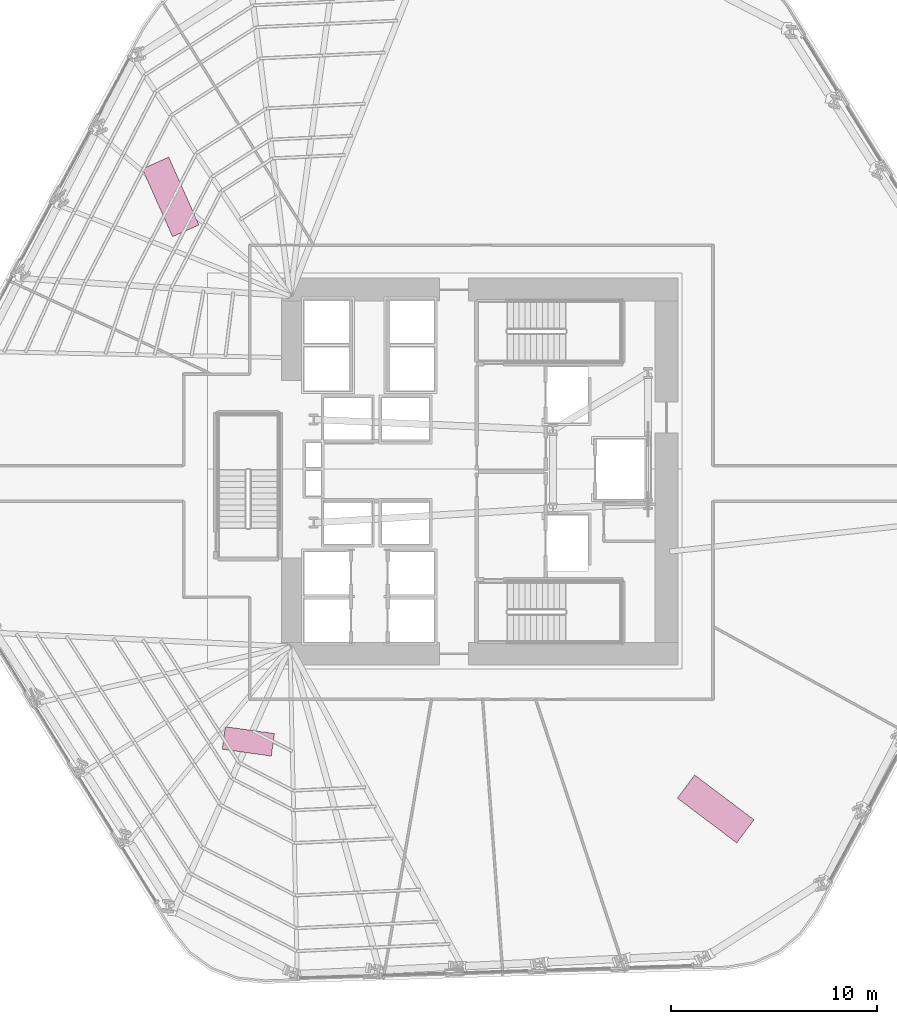
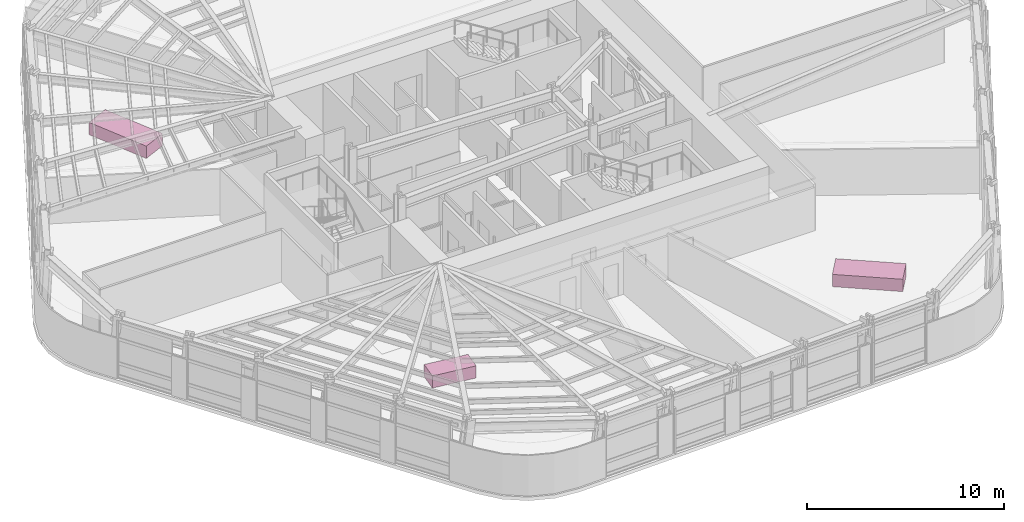
# One storey, part 15 of 15: 3 furniture elements.
"""IFC4 building model written with IfcOpenShell, lengths in metres."""

from ifc_helpers import new_model, si_unit, direction, frame, origin, origin_2d, place, context, subcontext, project, spatial, rectangle, extrude, material, type_object, element, save


model = new_model("IFC4")

# Units and contexts
model_context = context("Model", 3, precision=1e-05, world=origin(), true_north=direction((0.0, 1.0)))
body_context = subcontext(model_context, "Body", "Model", "MODEL_VIEW")
ifc_project = project(units=[si_unit("LENGTHUNIT", "METRE"), si_unit("AREAUNIT", "SQUARE_METRE"), si_unit("VOLUMEUNIT", "CUBIC_METRE"), si_unit("PLANEANGLEUNIT", "RADIAN"), si_unit("MASSUNIT", "GRAM", prefix="KILO")], contexts=[model_context])

# Site, building, storey
site_placement = place(None, origin())
site = spatial("IfcSite", under=ifc_project, at=site_placement, CompositionType="ELEMENT")
building_placement = place(site_placement, origin())
building = spatial("IfcBuilding", under=site, at=building_placement, Name="Valkerne Bourse Tower", CompositionType="ELEMENT")
storey_placement = place(building_placement, frame((0.0, 0.0, 31.60009765625)))
storey = spatial("IfcBuildingStorey", under=building, at=storey_placement, Name="L07", CompositionType="ELEMENT", Elevation=31.60009765625)

# Furniture
ifc_material = material(Name="Architectural White Oak Timber", Category="wood")
furniture_type_1 = type_object("IfcFurnitureType", Name="FURN-CONF-3600", AssemblyPlace="NOTDEFINED", PredefinedType="TABLE", material=ifc_material)
for number, where, z_axis, x_axis, name in (
    (1, (31.81689453125, 40.18994140625, 0.044921875), (0.0, 0.0, 1.0), (-0.406736643076, 0.913545457643, 0.0), "L07 Suite Worktable 05"),
    (2, (58.235107421875, 10.52587890625, 0.044921875), (0.0, 0.0, 1.0), (-0.798635510047, 0.601815023152, 0.0), "L07 Suite Worktable 06"),
):
    element("IfcFurniture", number, at=place(storey_placement, frame(where, z_axis=z_axis, x_axis=x_axis)), inside=storey, type_object=furniture_type_1, Name=name, PredefinedType="TABLE", context=body_context, shape_type="SweptSolid", body=[
        extrude(rectangle(XDim=3.60009765625, YDim=1.39990234375, at=origin_2d()), origin(), (0.0, 0.0, 1.0), 0.760009765625),
    ])
furniture_type_2 = type_object("IfcFurnitureType", Name="FURN-DESK-2400", AssemblyPlace="NOTDEFINED", PredefinedType="DESK", material=ifc_material)
furniture_placement = place(storey_placement, frame((35.58203125, 13.801025390625, 0.044921875), z_axis=(0.0, 0.0, 1.0), x_axis=(-0.990268068742, 0.13917310096, 0.0)))
element("IfcFurniture", 3, at=furniture_placement, inside=storey, type_object=furniture_type_2, Name="L07 Suite Worktable 07", PredefinedType="DESK", context=body_context, shape_type="SweptSolid", body=[
    extrude(rectangle(XDim=2.39990234375, YDim=1.10009765625, at=origin_2d()), origin(), (0.0, 0.0, 1.0), 0.75),
])

save(model, "model.ifc")
